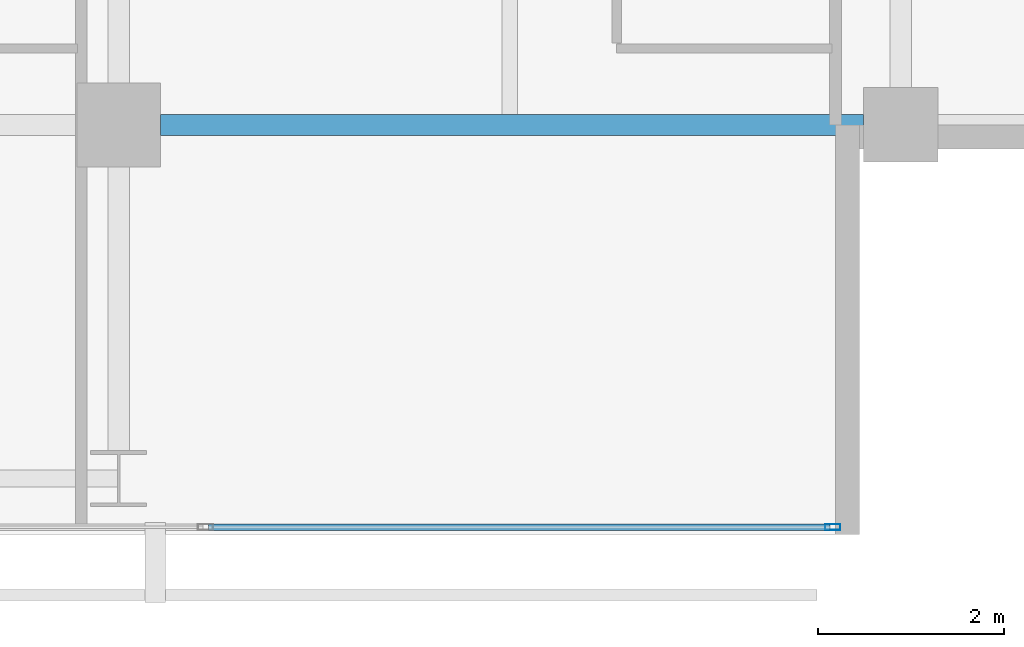
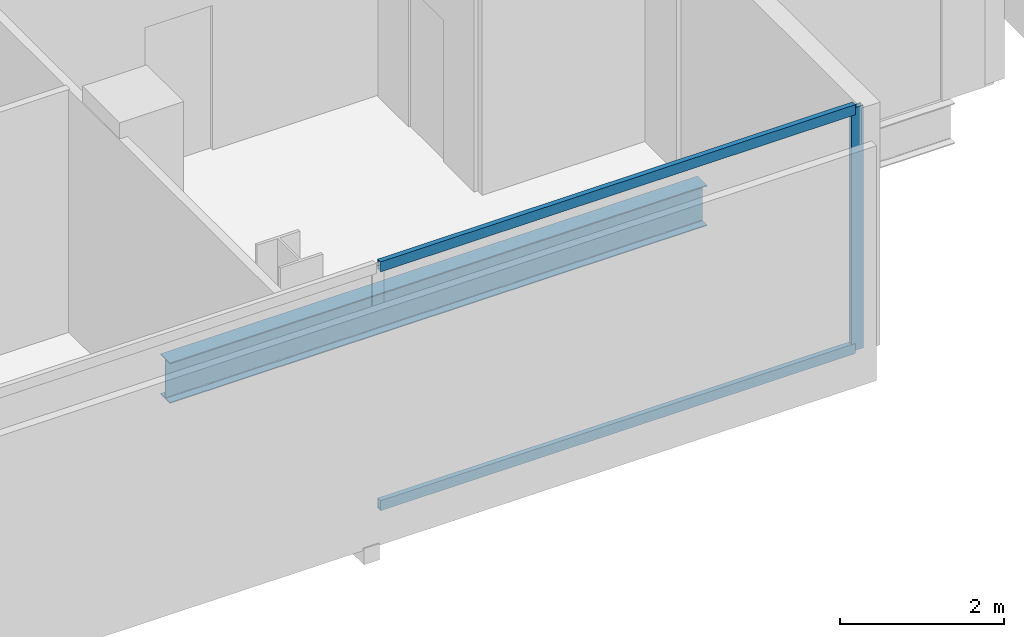
# One storey, part 13 of 34: 3 members, 1 beam, 1 element without a shape of its own.
"""IFC4 building model written with IfcOpenShell, lengths in metres."""

from ifc_helpers import new_model, si_unit, direction, frame, origin, origin_2d, place, context, subcontext, project, spatial, hollow_rectangle, i_section, extrude, material, layer, layer_set, material_profile, profile_set, type_object, element, aggregate, save


model = new_model("IFC4")

# Units and contexts
model_context = context("Model", 3, precision=1e-05, world=origin(), true_north=direction((0.0, 1.0)))
body_context = subcontext(model_context, "Body", "Model", "MODEL_VIEW")
ifc_project = project(units=[si_unit("LENGTHUNIT", "METRE"), si_unit("AREAUNIT", "SQUARE_METRE"), si_unit("VOLUMEUNIT", "CUBIC_METRE"), si_unit("PLANEANGLEUNIT", "RADIAN"), si_unit("MASSUNIT", "GRAM", prefix="KILO")], contexts=[model_context])

# Site, building, storey
site_placement = place(None, origin())
site = spatial("IfcSite", under=ifc_project, at=site_placement, CompositionType="ELEMENT")
building_placement = place(site_placement, origin())
building = spatial("IfcBuilding", under=site, at=building_placement, Name="Maruvema Waterfront Hotel and Observation Tower", CompositionType="ELEMENT")
storey_placement = place(building_placement, frame((0.0, 0.0, 181.300048828125)))
storey = spatial("IfcBuildingStorey", under=building, at=storey_placement, Name="L44", CompositionType="ELEMENT", Elevation=181.300048828125)

# Curtain wall, members
ifc_material_1 = material(Name="Anodised bronze aluminium and solar-control low-E IGU", Category="aluminium")
ifc_layer = layer(ifc_material_1, 0.159912109375, Name="Zone 2 Amber Inner Thermal Curtain Wall System CW-03")
ifc_layer_set = layer_set([ifc_layer], Name="Anodised bronze aluminium and solar-control low-E IGU")
curtain_wall_type = type_object("IfcCurtainWallType", Name="Zone 2 Amber Inner Thermal Curtain Wall System CW-03", PredefinedType="USERDEFINED", material=ifc_layer_set)
curtain_wall_placement = place(storey_placement, origin())
curtain_wall = element("IfcCurtainWall", 1, at=curtain_wall_placement, inside=storey, type_object=curtain_wall_type, Name="L44 Curtain Wall CW-L44-S", ObjectType="UNITISED CURTAIN WALL", PredefinedType="USERDEFINED")
ifc_material_2 = material(Name="Anodised architectural bronze aluminium", Category="aluminium")
ifc_material_profile_1 = material_profile(ifc_material_2, hollow_rectangle(XDim=0.070068359375, YDim=0.14990234375, WallThickness=0.00390625, at=origin_2d()), Name="ALU-T70x150")
ifc_profile_set_1 = profile_set([ifc_material_profile_1], Name="Anodised architectural bronze aluminium")
member_type_1 = type_object("IfcMemberType", Name="Curtain Wall Horizontal Transom ALU-T70x150", PredefinedType="USERDEFINED", material=ifc_profile_set_1)
member_1_placement = place(storey_placement, frame((51.36328125, 4.679931640625, 0.030029296875), z_axis=(1.0, 0.0, 0.0), x_axis=(0.0, 1.0, 0.0)))
member_1 = element("IfcMember", 2, at=member_1_placement, type_object=member_type_1, Name="CW-03 transom 6.1", ObjectType="TRANSOM", PredefinedType="USERDEFINED", context=body_context, shape_type="SweptSolid", body=[
    extrude(hollow_rectangle(XDim=0.070068359375, YDim=0.14990234375, WallThickness=0.00390625, at=origin_2d()), origin(), (0.0, 0.0, 1.0), 6.6767578125),
])
member_2_placement = place(storey_placement, frame((51.36328125, 4.679931640625, 3.579833984375), z_axis=(1.0, 0.0, 0.0), x_axis=(0.0, 1.0, 0.0)))
member_2 = element("IfcMember", 3, at=member_2_placement, type_object=member_type_1, Name="CW-03 transom 6.2", ObjectType="TRANSOM", PredefinedType="USERDEFINED", context=body_context, shape_type="SweptSolid", body=[
    extrude(hollow_rectangle(XDim=0.070068359375, YDim=0.14990234375, WallThickness=0.00390625, at=origin_2d()), origin(), (0.0, 0.0, 1.0), 6.6767578125),
])
ifc_material_3 = material(Name="Anodised architectural bronze aluminium", Category="aluminium")
ifc_material_profile_2 = material_profile(ifc_material_3, hollow_rectangle(XDim=0.06494140625, YDim=0.1650390625, WallThickness=0.00390625, at=origin_2d()), Name="ALU-M65x165")
ifc_profile_set_2 = profile_set([ifc_material_profile_2], Name="Anodised architectural bronze aluminium")
member_type_2 = type_object("IfcMemberType", Name="Curtain Wall Primary Mullion ALU-M65x165", PredefinedType="MULLION", material=ifc_profile_set_2)
member_3_placement = place(storey_placement, frame((58.070068359375, 4.679931640625, 0.0), z_axis=(0.0, 0.0, 1.0), x_axis=(0.0, 1.0, 0.0)))
member_3 = element("IfcMember", 4, at=member_3_placement, type_object=member_type_2, Name="CW-03 mullion 7", PredefinedType="MULLION", context=body_context, shape_type="SweptSolid", body=[
    extrude(hollow_rectangle(XDim=0.06494140625, YDim=0.1650390625, WallThickness=0.00390625, at=origin_2d()), origin(), (0.0, 0.0, 1.0), 3.60986328125),
])
aggregate(curtain_wall, [member_3, member_1, member_2])

# Beam
ifc_material_4 = material(Name="Steel ASTM A572 Grade 50", Category="steel")
ifc_material_profile_3 = material_profile(ifc_material_4, i_section(OverallWidth=0.22802734375, OverallDepth=0.60302734375, WebThickness=0.010498046875, FlangeThickness=0.014892578125, FilletRadius=0.01806640625, at=origin_2d()), Name="W610x101.0")
ifc_profile_set_3 = profile_set([ifc_material_profile_3], Name="Steel ASTM A572 Grade 50")
beam_type = type_object("IfcBeamType", Name="Primary Floor Girder W610x101.0", PredefinedType="BEAM", material=ifc_profile_set_3)
beam_placement = place(storey_placement, frame((50.85009765625, 9.0, -0.54150390625), z_axis=(1.0, 0.0, 0.0), x_axis=(0.0, 1.0, 0.0)))
element("IfcBeam", 5, at=beam_placement, inside=storey, type_object=beam_type, Name="L44 Floor Girder EW-09", PredefinedType="BEAM", context=body_context, shape_type="SweptSolid", body=[
    extrude(i_section(OverallWidth=0.22802734375, OverallDepth=0.60302734375, WebThickness=0.010498046875, FlangeThickness=0.014892578125, FilletRadius=0.01806640625, at=origin_2d()), origin(), (0.0, 0.0, 1.0), 7.5498046875),
])

save(model, "model.ifc")
